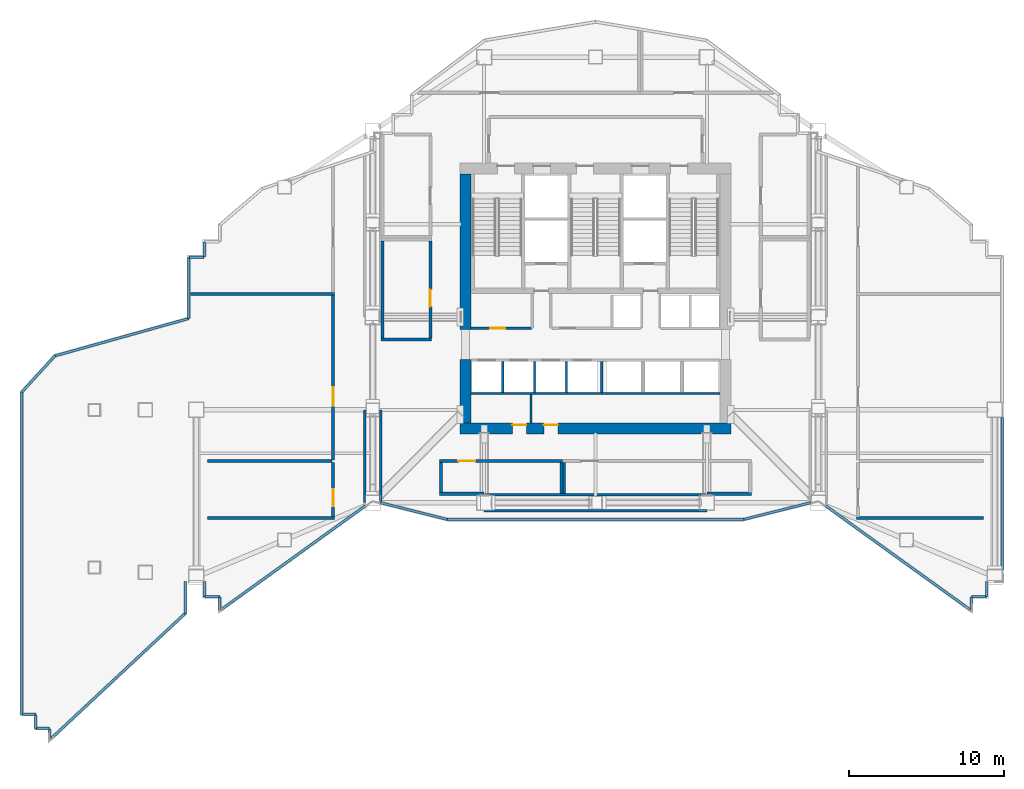
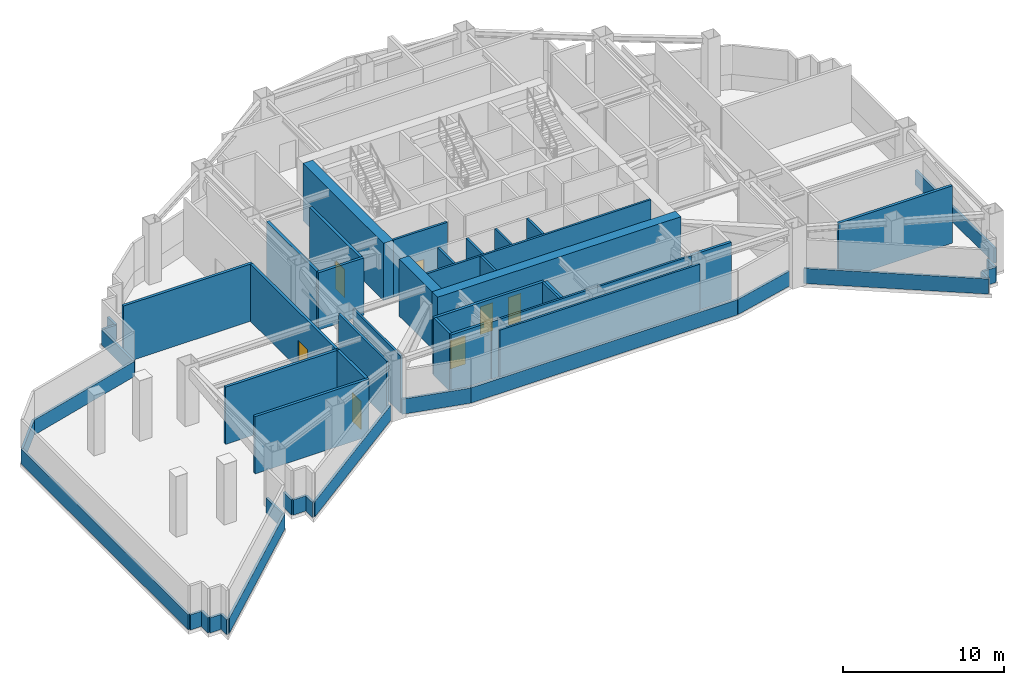
# One storey, part 14 of 24: 53 walls, 7 doors, 7 openings.
"""IFC4 building model written with IfcOpenShell, lengths in metres."""

from ifc_helpers import new_model, si_unit, direction, frame, frame_2d, origin, place, context, subcontext, project, spatial, rectangle, extrude, material, layer, layer_set, type_object, element, fill, save


model = new_model("IFC4")

# Units and contexts
model_context = context("Model", 3, precision=1e-05, world=origin(), true_north=direction((0.0, 1.0)))
body_context = subcontext(model_context, "Body", "Model", "MODEL_VIEW")
ifc_project = project(units=[si_unit("LENGTHUNIT", "METRE"), si_unit("AREAUNIT", "SQUARE_METRE"), si_unit("VOLUMEUNIT", "CUBIC_METRE"), si_unit("PLANEANGLEUNIT", "RADIAN"), si_unit("MASSUNIT", "GRAM", prefix="KILO")], contexts=[model_context])

# Site, building, storey
site_placement = place(None, origin())
site = spatial("IfcSite", under=ifc_project, at=site_placement, CompositionType="ELEMENT")
building_placement = place(site_placement, origin())
building = spatial("IfcBuilding", under=site, at=building_placement, Name="Haolan Belvedere Tower", CompositionType="ELEMENT")
storey_placement = place(building_placement, frame((0.0, 0.0, 160.0)))
storey = spatial("IfcBuildingStorey", under=building, at=storey_placement, Name="L40", CompositionType="ELEMENT", Elevation=160.0)

# Wall, openings, doors
ifc_material_1 = material(Name="Concrete C60/75", Category="concrete")
ifc_layer_1 = layer(ifc_material_1, 0.699951171875, Name="Concrete C60/75")
ifc_layer_set_1 = layer_set([ifc_layer_1], Name="Concrete C60/75")
wall_type_1 = type_object("IfcWallType", Name="WL-CORE-700", PredefinedType="SHEAR", material=ifc_layer_set_1)
wall_1_placement = place(storey_placement, frame((29.64990234375, 26.39990234375, 0.0), z_axis=(0.0, 0.0, 1.0), x_axis=(1.0, 0.0, 0.0)))
wall_1 = element("IfcWall", 1, at=wall_1_placement, inside=storey, type_object=wall_type_1, Name="L40 central core south shear wall", PredefinedType="SHEAR", context=body_context, shape_type="SweptSolid", body=[
    extrude(rectangle(XDim=17.5, YDim=0.699951171875, at=frame_2d((8.75, 0.0))), origin(), (0.0, 0.0, 1.0), 4.35009765625),
])
opening_1_placement = place(wall_1_placement, frame((4.280029296875, 0.0, 0.0), z_axis=(0.0, 0.0, 1.0), x_axis=(-1.0, 0.0, 0.0)))
opening_1 = element("IfcOpeningElement", 2, at=opening_1_placement, cuts=wall_1, Name="Opening FD-05", PredefinedType="OPENING", context=body_context, shape_type="SweptSolid", body=[
    extrude(rectangle(XDim=0.89990234375, YDim=2.10009765625, at=frame_2d((0.449951171875, 1.050048828125))), frame((0.0, 0.35986328125, 0.0), z_axis=(0.0, -1.0, 0.0), x_axis=(1.0, 0.0, 0.0)), (0.0, 0.0, 1.0), 0.719970703125),
])
opening_2_placement = place(wall_1_placement, frame((6.309814453125, 0.0, 0.0), z_axis=(0.0, 0.0, 1.0), x_axis=(-1.0, 0.0, 0.0)))
opening_2 = element("IfcOpeningElement", 3, at=opening_2_placement, cuts=wall_1, Name="Opening FD-05", PredefinedType="OPENING", context=body_context, shape_type="SweptSolid", body=[
    extrude(rectangle(XDim=0.89990234375, YDim=2.10009765625, at=frame_2d((0.449951171875, 1.050048828125))), frame((0.0, 0.35986328125, 0.0), z_axis=(0.0, -1.0, 0.0), x_axis=(1.0, 0.0, 0.0)), (0.0, 0.0, 1.0), 0.719970703125),
])
ifc_material_2 = material(Name="Galvanised fire-rated steel", Category="steel")
door_type_1 = type_object("IfcDoorType", Name="DR-FD60-900", OperationType="NOTDEFINED", PredefinedType="DOOR", material=ifc_material_2)
door_1_placement = place(opening_1_placement, origin())
door_1 = element("IfcDoor", 4, at=door_1_placement, inside=storey, type_object=door_type_1, Name="L40 door CD-L40-SCV-1", OperationType="SINGLE_SWING_LEFT", OverallHeight=2.10009765625, OverallWidth=0.89990234375, PredefinedType="DOOR", context=body_context, shape_type="SweptSolid", body=[
    extrude(rectangle(XDim=0.89990234375, YDim=2.10009765625, at=frame_2d((0.449951171875, 1.050048828125))), frame((0.0, -0.19482421875, 0.0), z_axis=(0.0, -1.0, 0.0), x_axis=(1.0, 0.0, 0.0)), (0.0, 0.0, 1.0), 0.050048828125),
])
fill(opening_1, door_1)
door_2_placement = place(opening_2_placement, origin())
door_2 = element("IfcDoor", 5, at=door_2_placement, inside=storey, type_object=door_type_1, Name="L40 door CD-L40-SCV-2", OperationType="SINGLE_SWING_RIGHT", OverallHeight=2.10009765625, OverallWidth=0.89990234375, PredefinedType="DOOR", context=body_context, shape_type="SweptSolid", body=[
    extrude(rectangle(XDim=0.89990234375, YDim=2.10009765625, at=frame_2d((0.449951171875, 1.050048828125))), frame((0.0, -0.19482421875, 0.0), z_axis=(0.0, -1.0, 0.0), x_axis=(1.0, 0.0, 0.0)), (0.0, 0.0, 1.0), 0.050048828125),
])
fill(opening_2, door_2)

# Walls
wall_2_placement = place(storey_placement, frame((30.0, 26.75, 0.0), z_axis=(0.0, 0.0, 1.0), x_axis=(0.0, 1.0, 0.0)))
element("IfcWall", 6, at=wall_2_placement, inside=storey, type_object=wall_type_1, Name="L40 central core shear wall WS", PredefinedType="SHEAR", context=body_context, shape_type="SweptSolid", body=[
    extrude(rectangle(XDim=4.10009765625, YDim=0.699951171875, at=frame_2d((2.050048828125, 0.0))), origin(), (0.0, 0.0, 1.0), 4.35009765625),
])
wall_3_placement = place(storey_placement, frame((30.0, 32.800048828125, 0.0), z_axis=(0.0, 0.0, 1.0), x_axis=(0.0, 1.0, 0.0)))
element("IfcWall", 7, at=wall_3_placement, inside=storey, type_object=wall_type_1, Name="L40 central core shear wall WN", PredefinedType="SHEAR", context=body_context, shape_type="SweptSolid", body=[
    extrude(rectangle(XDim=10.050048828125, YDim=0.699951171875, at=frame_2d((5.02490234375, 0.0))), origin(), (0.0, 0.0, 1.0), 4.35009765625),
])
ifc_material_3 = material(Name="Concrete C40/50", Category="concrete")
ifc_layer_2 = layer(ifc_material_3, 0.199951171875, Name="Concrete C40/50")
ifc_layer_set_2 = layer_set([ifc_layer_2], Name="Concrete C40/50")
wall_type_2 = type_object("IfcWallType", Name="WL-FIRE-200", PredefinedType="SOLIDWALL", material=ifc_layer_set_2)
wall_4_placement = place(storey_placement, frame((12.2119140625, 35.10009765625, 0.0), z_axis=(0.0, 0.0, 1.0), x_axis=(1.0, 0.0, 0.0)))
element("IfcWall", 8, at=wall_4_placement, inside=storey, type_object=wall_type_2, Name="L40 interior partition IW-L40-REF-W1-N", PredefinedType="SOLIDWALL", context=body_context, shape_type="SweptSolid", body=[
    extrude(rectangle(XDim=9.30810546875, YDim=0.199951171875, at=frame_2d((4.654052734375, 0.0))), origin(), (0.0, 0.0, 1.0), 4.35009765625),
])

# Wall, opening, door
wall_5_placement = place(storey_placement, frame((21.43994140625, 24.3701171875, 0.0), z_axis=(0.0, 0.0, 1.0), x_axis=(0.0, 1.0, 0.0)))
wall_5 = element("IfcWall", 9, at=wall_5_placement, inside=storey, type_object=wall_type_2, Name="L40 interior partition IW-L40-REF-W1-E", PredefinedType="SOLIDWALL", context=body_context, shape_type="SweptSolid", body=[
    extrude(rectangle(XDim=10.644775390625, YDim=0.199951171875, at=frame_2d((5.322265625, 0.0))), origin(), (0.0, 0.0, 1.0), 4.35009765625),
])
opening_3_placement = place(wall_5_placement, frame((4.699951171875, 0.0, 0.0), z_axis=(0.0, 0.0, 1.0), x_axis=(-1.0, 0.0, 0.0)))
opening_3 = element("IfcOpeningElement", 10, at=opening_3_placement, cuts=wall_5, Name="Opening FD-02", PredefinedType="OPENING", context=body_context, shape_type="SweptSolid", body=[
    extrude(rectangle(XDim=1.199951171875, YDim=2.14990234375, at=frame_2d((0.60009765625, 1.074951171875))), frame((0.0, 0.10986328125, 0.0), z_axis=(0.0, -1.0, 0.0), x_axis=(1.0, 0.0, 0.0)), (0.0, 0.0, 1.0), 0.219970703125),
])
door_type_2 = type_object("IfcDoorType", Name="DR-FD90-1200", OperationType="NOTDEFINED", PredefinedType="DOOR", material=ifc_material_2)
door_3_placement = place(opening_3_placement, origin())
door_3 = element("IfcDoor", 11, at=door_3_placement, inside=storey, type_object=door_type_2, Name="L40 door ID-L40-REF-W1", OperationType="SINGLE_SWING_LEFT", OverallHeight=2.14990234375, OverallWidth=1.199951171875, PredefinedType="DOOR", context=body_context, shape_type="SweptSolid", body=[
    extrude(rectangle(XDim=1.199951171875, YDim=2.14990234375, at=frame_2d((0.60009765625, 1.074951171875))), frame((0.0, 0.02490234375, 0.0), z_axis=(0.0, -1.0, 0.0), x_axis=(1.0, 0.0, 0.0)), (0.0, 0.0, 1.0), 0.050048828125),
])
fill(opening_3, door_3)

# Walls
wall_6_placement = place(storey_placement, frame((24.5400390625, 32.14990234375, 0.0), z_axis=(0.0, 0.0, 1.0), x_axis=(1.0, 0.0, 0.0)))
element("IfcWall", 12, at=wall_6_placement, inside=storey, type_object=wall_type_2, Name="L40 interior partition IW-L40-REF-WI1-S", PredefinedType="SOLIDWALL", context=body_context, shape_type="SweptSolid", body=[
    extrude(rectangle(XDim=3.260009765625, YDim=0.199951171875, at=frame_2d((1.6298828125, 0.0))), origin(), (0.0, 0.0, 1.0), 4.35009765625),
])
wall_7_placement = place(storey_placement, frame((24.6201171875, 32.235107421875, 0.0), z_axis=(0.0, 0.0, 1.0), x_axis=(0.0, 1.0, 0.0)))
element("IfcWall", 13, at=wall_7_placement, inside=storey, type_object=wall_type_2, Name="L40 interior partition IW-L40-REF-WI1-W", PredefinedType="SOLIDWALL", context=body_context, shape_type="SweptSolid", body=[
    extrude(rectangle(XDim=6.27978515625, YDim=0.199951171875, at=frame_2d((3.139892578125, 0.0))), origin(), (0.0, 0.0, 1.0), 4.35009765625),
])

# Wall, opening, door
wall_8_placement = place(storey_placement, frame((27.719970703125, 32.235107421875, 0.0), z_axis=(0.0, 0.0, 1.0), x_axis=(0.0, 1.0, 0.0)))
wall_8 = element("IfcWall", 14, at=wall_8_placement, inside=storey, type_object=wall_type_2, Name="L40 interior partition IW-L40-REF-WI1-E", PredefinedType="SOLIDWALL", context=body_context, shape_type="SweptSolid", body=[
    extrude(rectangle(XDim=6.27978515625, YDim=0.199951171875, at=frame_2d((3.139892578125, 0.0))), origin(), (0.0, 0.0, 1.0), 4.35009765625),
])
opening_4_placement = place(wall_8_placement, frame((3.135009765625, 0.0, 0.0), z_axis=(0.0, 0.0, 1.0), x_axis=(-1.0, 0.0, 0.0)))
opening_4 = element("IfcOpeningElement", 15, at=opening_4_placement, cuts=wall_8, Name="Opening FD-03", PredefinedType="OPENING", context=body_context, shape_type="SweptSolid", body=[
    extrude(rectangle(XDim=1.10009765625, YDim=2.14990234375, at=frame_2d((0.550048828125, 1.074951171875))), frame((0.0, 0.10986328125, 0.0), z_axis=(0.0, -1.0, 0.0), x_axis=(1.0, 0.0, 0.0)), (0.0, 0.0, 1.0), 0.219970703125),
])
door_type_3 = type_object("IfcDoorType", Name="DR-FD90-1100", OperationType="NOTDEFINED", PredefinedType="DOOR", material=ifc_material_2)
door_4_placement = place(opening_4_placement, origin())
door_4 = element("IfcDoor", 16, at=door_4_placement, inside=storey, type_object=door_type_3, Name="L40 door ID-L40-REF-WI1", OperationType="SINGLE_SWING_LEFT", OverallHeight=2.14990234375, OverallWidth=1.10009765625, PredefinedType="DOOR", context=body_context, shape_type="SweptSolid", body=[
    extrude(rectangle(XDim=1.10009765625, YDim=2.14990234375, at=frame_2d((0.550048828125, 1.074951171875))), frame((0.0, 0.02490234375, 0.0), z_axis=(0.0, -1.0, 0.0), x_axis=(1.0, 0.0, 0.0)), (0.0, 0.0, 1.0), 0.050048828125),
])
fill(opening_4, door_4)

wall_9_placement = place(storey_placement, frame((28.320068359375, 24.300048828125, 0.0), z_axis=(0.0, 0.0, 1.0), x_axis=(1.0, 0.0, 0.0)))
wall_9 = element("IfcWall", 17, at=wall_9_placement, inside=storey, type_object=wall_type_2, Name="L40 interior partition IW-L40-PLT-AHU-N", PredefinedType="SOLIDWALL", context=body_context, shape_type="SweptSolid", body=[
    extrude(rectangle(XDim=7.9599609375, YDim=0.199951171875, at=frame_2d((3.97998046875, 0.0))), origin(), (0.0, 0.0, 1.0), 4.35009765625),
])
opening_5_placement = place(wall_9_placement, frame((2.320556640625, 0.0, 0.0), z_axis=(0.0, 0.0, 1.0), x_axis=(-1.0, 0.0, 0.0)))
opening_5 = element("IfcOpeningElement", 18, at=opening_5_placement, cuts=wall_9, Name="Opening FD-03", PredefinedType="OPENING", context=body_context, shape_type="SweptSolid", body=[
    extrude(rectangle(XDim=1.10009765625, YDim=2.14990234375, at=frame_2d((0.550048828125, 1.074951171875))), frame((0.0, 0.10986328125, 0.0), z_axis=(0.0, -1.0, 0.0), x_axis=(1.0, 0.0, 0.0)), (0.0, 0.0, 1.0), 0.219970703125),
])
door_5_placement = place(opening_5_placement, origin())
door_5 = element("IfcDoor", 19, at=door_5_placement, inside=storey, type_object=door_type_3, Name="L40 door ID-L40-PLT-AHU", OperationType="SINGLE_SWING_LEFT", OverallHeight=2.14990234375, OverallWidth=1.10009765625, PredefinedType="DOOR", context=body_context, shape_type="SweptSolid", body=[
    extrude(rectangle(XDim=1.10009765625, YDim=2.14990234375, at=frame_2d((0.550048828125, 1.074951171875))), frame((0.0, 0.02490234375, 0.0), z_axis=(0.0, -1.0, 0.0), x_axis=(1.0, 0.0, 0.0)), (0.0, 0.0, 1.0), 0.050048828125),
])
fill(opening_5, door_5)

# Walls
wall_10_placement = place(storey_placement, frame((28.320068359375, 22.179931640625, 0.0), z_axis=(0.0, 0.0, 1.0), x_axis=(1.0, 0.0, 0.0)))
element("IfcWall", 20, at=wall_10_placement, inside=storey, type_object=wall_type_2, Name="L40 interior partition IW-L40-PLT-AHU-S", PredefinedType="SOLIDWALL", context=body_context, shape_type="SweptSolid", body=[
    extrude(rectangle(XDim=2.8779296875, YDim=0.199951171875, at=frame_2d((1.43896484375, 0.0))), origin(), (0.0, 0.0, 1.0), 4.35009765625),
])
wall_11_placement = place(storey_placement, frame((28.39990234375, 22.264892578125, 0.0), z_axis=(0.0, 0.0, 1.0), x_axis=(0.0, 1.0, 0.0)))
element("IfcWall", 21, at=wall_11_placement, inside=storey, type_object=wall_type_2, Name="L40 interior partition IW-L40-PLT-AHU-W", PredefinedType="SOLIDWALL", context=body_context, shape_type="SweptSolid", body=[
    extrude(rectangle(XDim=1.9501953125, YDim=0.199951171875, at=frame_2d((0.97509765625, 0.0))), origin(), (0.0, 0.0, 1.0), 4.35009765625),
])
wall_12_placement = place(storey_placement, frame((36.199951171875, 22.179931640625, 0.0), z_axis=(0.0, 0.0, 1.0), x_axis=(0.0, 1.0, 0.0)))
element("IfcWall", 22, at=wall_12_placement, inside=storey, type_object=wall_type_2, Name="L40 interior partition IW-L40-PLT-AHU-E", PredefinedType="SOLIDWALL", context=body_context, shape_type="SweptSolid", body=[
    extrude(rectangle(XDim=2.03515625, YDim=0.199951171875, at=frame_2d((1.017578125, 0.0))), origin(), (0.0, 0.0, 1.0), 4.35009765625),
])
wall_13_placement = place(storey_placement, frame((45.60205078125, 22.179931640625, 0.0), z_axis=(0.0, 0.0, 1.0), x_axis=(1.0, 0.0, 0.0)))
element("IfcWall", 23, at=wall_13_placement, inside=storey, type_object=wall_type_2, Name="L40 interior partition IW-L40-PLT-CHW-S", PredefinedType="SOLIDWALL", context=body_context, shape_type="SweptSolid", body=[
    extrude(rectangle(XDim=2.8779296875, YDim=0.199951171875, at=frame_2d((1.43896484375, 0.0))), origin(), (0.0, 0.0, 1.0), 4.35009765625),
])
wall_14_placement = place(storey_placement, frame((36.360107421875, 22.179931640625, 0.0), z_axis=(0.0, 0.0, 1.0), x_axis=(0.0, 1.0, 0.0)))
element("IfcWall", 24, at=wall_14_placement, inside=storey, type_object=wall_type_2, Name="L40 interior partition IW-L40-PLT-CHW-W", PredefinedType="SOLIDWALL", context=body_context, shape_type="SweptSolid", body=[
    extrude(rectangle(XDim=2.03515625, YDim=0.199951171875, at=frame_2d((1.017578125, 0.0))), origin(), (0.0, 0.0, 1.0), 4.35009765625),
])
wall_15_placement = place(storey_placement, frame((13.320068359375, 24.2900390625, 0.0), z_axis=(0.0, 0.0, 1.0), x_axis=(1.0, 0.0, 0.0)))
element("IfcWall", 25, at=wall_15_placement, inside=storey, type_object=wall_type_2, Name="L40 interior partition IW-L40-PLT-SUB-N", PredefinedType="SOLIDWALL", context=body_context, shape_type="SweptSolid", body=[
    extrude(rectangle(XDim=8.034912109375, YDim=0.199951171875, at=frame_2d((4.017578125, 0.0))), origin(), (0.0, 0.0, 1.0), 4.35009765625),
])
wall_16_placement = place(storey_placement, frame((13.320068359375, 20.60009765625, 0.0), z_axis=(0.0, 0.0, 1.0), x_axis=(1.0, 0.0, 0.0)))
element("IfcWall", 26, at=wall_16_placement, inside=storey, type_object=wall_type_2, Name="L40 interior partition IW-L40-PLT-SUB-S", PredefinedType="SOLIDWALL", context=body_context, shape_type="SweptSolid", body=[
    extrude(rectangle(XDim=8.199951171875, YDim=0.199951171875, at=frame_2d((4.10009765625, 0.0))), origin(), (0.0, 0.0, 1.0), 4.35009765625),
])

# Wall, opening, door
wall_17_placement = place(storey_placement, frame((21.43994140625, 20.68505859375, 0.0), z_axis=(0.0, 0.0, 1.0), x_axis=(0.0, 1.0, 0.0)))
wall_17 = element("IfcWall", 27, at=wall_17_placement, inside=storey, type_object=wall_type_2, Name="L40 interior partition IW-L40-PLT-SUB-E", PredefinedType="SOLIDWALL", context=body_context, shape_type="SweptSolid", body=[
    extrude(rectangle(XDim=3.52001953125, YDim=0.199951171875, at=frame_2d((1.760009765625, 0.0))), origin(), (0.0, 0.0, 1.0), 4.35009765625),
])
opening_6_placement = place(wall_17_placement, frame((1.78515625, 0.0, 0.0), z_axis=(0.0, 0.0, 1.0), x_axis=(-1.0, 0.0, 0.0)))
opening_6 = element("IfcOpeningElement", 28, at=opening_6_placement, cuts=wall_17, Name="Opening FD-03", PredefinedType="OPENING", context=body_context, shape_type="SweptSolid", body=[
    extrude(rectangle(XDim=1.10009765625, YDim=2.14990234375, at=frame_2d((0.550048828125, 1.074951171875))), frame((0.0, 0.10986328125, 0.0), z_axis=(0.0, -1.0, 0.0), x_axis=(1.0, 0.0, 0.0)), (0.0, 0.0, 1.0), 0.219970703125),
])
door_6_placement = place(opening_6_placement, origin())
door_6 = element("IfcDoor", 29, at=door_6_placement, inside=storey, type_object=door_type_3, Name="L40 door ID-L40-PLT-SUB", OperationType="SINGLE_SWING_RIGHT", OverallHeight=2.14990234375, OverallWidth=1.10009765625, PredefinedType="DOOR", context=body_context, shape_type="SweptSolid", body=[
    extrude(rectangle(XDim=1.10009765625, YDim=2.14990234375, at=frame_2d((0.550048828125, 1.074951171875))), frame((0.0, 0.02490234375, 0.0), z_axis=(0.0, -1.0, 0.0), x_axis=(1.0, 0.0, 0.0)), (0.0, 0.0, 1.0), 0.050048828125),
])
fill(opening_6, door_6)

# Walls
wall_18_placement = place(storey_placement, frame((55.280029296875, 20.60009765625, 0.0), z_axis=(0.0, 0.0, 1.0), x_axis=(1.0, 0.0, 0.0)))
element("IfcWall", 30, at=wall_18_placement, inside=storey, type_object=wall_type_2, Name="L40 interior partition IW-L40-PLT-TNK-S", PredefinedType="SOLIDWALL", context=body_context, shape_type="SweptSolid", body=[
    extrude(rectangle(XDim=8.199951171875, YDim=0.199951171875, at=frame_2d((4.10009765625, 0.0))), origin(), (0.0, 0.0, 1.0), 4.35009765625),
])
ifc_material_4 = material(Name="Precast concrete C40/50", Category="concrete")
ifc_layer_3 = layer(ifc_material_4, 0.159912109375, Name="Precast concrete C40/50")
ifc_layer_set_3 = layer_set([ifc_layer_3], Name="Precast concrete C40/50")
wall_type_3 = type_object("IfcWallType", Name="WL-PAR-160", PredefinedType="PARAPET", material=ifc_layer_set_3)
wall_19_placement = place(storey_placement, frame((13.1201171875, 16.52001953125, 0.0), z_axis=(0.0, 0.0, 1.0), x_axis=(0.0, -1.0, 0.0)))
element("IfcWall", 31, at=wall_19_placement, inside=storey, type_object=wall_type_3, Name="L40 refuge open-band parapet 2.1", PredefinedType="PARAPET", context=body_context, shape_type="SweptSolid", body=[
    extrude(rectangle(XDim=1.0, YDim=0.159912109375, at=frame_2d((0.5, 0.0))), origin(), (0.0, 0.0, 1.0), 1.14990234375),
])
wall_20_placement = place(storey_placement, frame((13.14990234375, 15.52001953125, 0.0), z_axis=(0.0, 0.0, 1.0), x_axis=(1.0, 0.0, 0.0)))
element("IfcWall", 32, at=wall_20_placement, inside=storey, type_object=wall_type_3, Name="L40 refuge open-band parapet 3.1", PredefinedType="PARAPET", context=body_context, shape_type="SweptSolid", body=[
    extrude(rectangle(XDim=0.97021484375, YDim=0.159912109375, at=frame_2d((0.485107421875, 0.0))), origin(), (0.0, 0.0, 1.0), 1.14990234375),
])
wall_21_placement = place(storey_placement, frame((14.1201171875, 15.489990234375, 0.0), z_axis=(0.0, 0.0, 1.0), x_axis=(0.0, -1.0, 0.0)))
element("IfcWall", 33, at=wall_21_placement, inside=storey, type_object=wall_type_3, Name="L40 refuge open-band parapet 4.1", PredefinedType="PARAPET", context=body_context, shape_type="SweptSolid", body=[
    extrude(rectangle(XDim=0.855712890625, YDim=0.159912109375, at=frame_2d((0.427734375, 0.0))), origin(), (0.0, 0.0, 1.0), 1.14990234375),
])
wall_22_placement = place(storey_placement, frame((14.193115234375, 14.68701171875, 0.0), z_axis=(0.0, 0.0, 1.0), x_axis=(0.811543217016, 0.584292398475, 0.0)))
element("IfcWall", 34, at=wall_22_placement, inside=storey, type_object=wall_type_3, Name="L40 refuge open-band parapet 5.1", PredefinedType="PARAPET", context=body_context, shape_type="SweptSolid", body=[
    extrude(rectangle(XDim=11.47802734375, YDim=0.159912109375, at=frame_2d((5.739013671875, 0.0))), origin(), (0.0, 0.0, 1.0), 1.14990234375),
])
wall_23_placement = place(storey_placement, frame((24.491943359375, 21.6005859375, 0.0), z_axis=(0.0, 0.0, 1.0), x_axis=(0.970148945932, -0.242509840432, 0.0)))
element("IfcWall", 35, at=wall_23_placement, inside=storey, type_object=wall_type_3, Name="L40 refuge open-band parapet 6.1", PredefinedType="PARAPET", context=body_context, shape_type="SweptSolid", body=[
    extrude(rectangle(XDim=4.455810546875, YDim=0.159912109375, at=frame_2d((2.22802734375, 0.0))), origin(), (0.0, 0.0, 1.0), 1.14990234375),
])
wall_24_placement = place(storey_placement, frame((28.814697265625, 20.52001953125, 0.0), z_axis=(0.0, 0.0, 1.0), x_axis=(1.0, 0.0, 0.0)))
element("IfcWall", 36, at=wall_24_placement, inside=storey, type_object=wall_type_3, Name="L40 refuge open-band parapet 7.1", PredefinedType="PARAPET", context=body_context, shape_type="SweptSolid", body=[
    extrude(rectangle(XDim=19.17041015625, YDim=0.159912109375, at=frame_2d((9.585205078125, 0.0))), origin(), (0.0, 0.0, 1.0), 1.14990234375),
])
wall_25_placement = place(storey_placement, frame((47.985107421875, 20.52001953125, 0.0), z_axis=(0.0, 0.0, 1.0), x_axis=(0.970152168055, 0.242496950122, 0.0)))
element("IfcWall", 37, at=wall_25_placement, inside=storey, type_object=wall_type_3, Name="L40 refuge open-band parapet 8.1", PredefinedType="PARAPET", context=body_context, shape_type="SweptSolid", body=[
    extrude(rectangle(XDim=4.4560546875, YDim=0.159912109375, at=frame_2d((2.22802734375, 0.0))), origin(), (0.0, 0.0, 1.0), 1.14990234375),
])
wall_26_placement = place(storey_placement, frame((53.2919921875, 21.3935546875, 0.0), z_axis=(0.0, 0.0, 1.0), x_axis=(0.811535942642, -0.584302501963, 0.0)))
element("IfcWall", 38, at=wall_26_placement, inside=storey, type_object=wall_type_3, Name="L40 refuge open-band parapet 9.1", PredefinedType="PARAPET", context=body_context, shape_type="SweptSolid", body=[
    extrude(rectangle(XDim=11.568115234375, YDim=0.159912109375, at=frame_2d((5.7841796875, 0.0))), origin(), (0.0, 0.0, 1.0), 1.14990234375),
])
wall_27_placement = place(storey_placement, frame((62.679931640625, 14.724365234375, 0.0), z_axis=(0.0, 0.0, 1.0), x_axis=(0.0, 1.0, 0.0)))
element("IfcWall", 39, at=wall_27_placement, inside=storey, type_object=wall_type_3, Name="L40 refuge open-band parapet 10.1", PredefinedType="PARAPET", context=body_context, shape_type="SweptSolid", body=[
    extrude(rectangle(XDim=0.795654296875, YDim=0.159912109375, at=frame_2d((0.39794921875, 0.0))), origin(), (0.0, 0.0, 1.0), 1.14990234375),
])
for number, where, z_axis, x_axis, name in (
    (40, (62.7099609375, 15.52001953125, 0.0), (0.0, 0.0, 1.0), (1.0, 0.0, 0.0), "L40 refuge open-band parapet 11.1"),
    (41, (63.679931640625, 15.550048828125, 0.0), (0.0, 0.0, 1.0), (0.0, 1.0, 0.0), "L40 refuge open-band parapet 12.1"),
):
    element("IfcWall", number, at=place(storey_placement, frame(where, z_axis=z_axis, x_axis=x_axis)), inside=storey, type_object=wall_type_3, Name=name, PredefinedType="PARAPET", context=body_context, shape_type="SweptSolid", body=[
        extrude(rectangle(XDim=0.969970703125, YDim=0.159912109375, at=frame_2d((0.48486328125, 0.0))), origin(), (0.0, 0.0, 1.0), 1.14990234375),
    ])
wall_28_placement = place(storey_placement, frame((64.679931640625, 17.2919921875, 0.0), z_axis=(0.0, 0.0, 1.0), x_axis=(0.0, 1.0, 0.0)))
element("IfcWall", 42, at=wall_28_placement, inside=storey, type_object=wall_type_3, Name="L40 refuge open-band parapet 14.1", PredefinedType="PARAPET", context=body_context, shape_type="SweptSolid", body=[
    extrude(rectangle(XDim=9.81591796875, YDim=0.159912109375, at=frame_2d((4.907958984375, 0.0))), origin(), (0.0, 0.0, 1.0), 1.14990234375),
])
for number, where, z_axis, x_axis, name in (
    (43, (13.1201171875, 38.449951171875, 0.0), (0.0, 0.0, 1.0), (0.0, -1.0, 0.0), "L40 refuge open-band parapet 39.1"),
    (44, (13.090087890625, 37.47998046875, 0.0), (0.0, 0.0, 1.0), (-1.0, 0.0, 0.0), "L40 refuge open-band parapet 40.1"),
):
    element("IfcWall", number, at=place(storey_placement, frame(where, z_axis=z_axis, x_axis=x_axis)), inside=storey, type_object=wall_type_3, Name=name, PredefinedType="PARAPET", context=body_context, shape_type="SweptSolid", body=[
        extrude(rectangle(XDim=0.969970703125, YDim=0.159912109375, at=frame_2d((0.48486328125, 0.0))), origin(), (0.0, 0.0, 1.0), 1.14990234375),
    ])
wall_29_placement = place(storey_placement, frame((12.1201171875, 37.449951171875, 0.0), z_axis=(0.0, 0.0, 1.0), x_axis=(0.0, -1.0, 0.0)))
element("IfcWall", 45, at=wall_29_placement, inside=storey, type_object=wall_type_3, Name="L40 refuge open-band parapet 41.1", PredefinedType="PARAPET", context=body_context, shape_type="SweptSolid", body=[
    extrude(rectangle(XDim=3.941162109375, YDim=0.159912109375, at=frame_2d((1.970703125, 0.0))), origin(), (0.0, 0.0, 1.0), 1.14990234375),
])
wall_30_placement = place(storey_placement, frame((12.091064453125, 33.500732421875, 0.0), z_axis=(0.0, 0.0, 1.0), x_axis=(-0.963194988148, -0.26880367335, 0.0)))
element("IfcWall", 46, at=wall_30_placement, inside=storey, type_object=wall_type_3, Name="L40 refuge open-band parapet 42.1", PredefinedType="PARAPET", context=body_context, shape_type="SweptSolid", body=[
    extrude(rectangle(XDim=8.955322265625, YDim=0.159912109375, at=frame_2d((4.4775390625, 0.0))), origin(), (0.0, 0.0, 1.0), 1.14990234375),
])
wall_31_placement = place(storey_placement, frame((3.46533203125, 31.093505859375, 0.0), z_axis=(0.0, 0.0, 1.0), x_axis=(-0.675755969938, -0.737125409339, 0.0)))
element("IfcWall", 47, at=wall_31_placement, inside=storey, type_object=wall_type_3, Name="L40 refuge open-band parapet 43.1", PredefinedType="PARAPET", context=body_context, shape_type="SweptSolid", body=[
    extrude(rectangle(XDim=3.174560546875, YDim=0.159912109375, at=frame_2d((1.58740234375, 0.0))), origin(), (0.0, 0.0, 1.0), 1.14990234375),
])
wall_32_placement = place(storey_placement, frame((1.320068359375, 28.75341796875, 0.0), z_axis=(0.0, 0.0, 1.0), x_axis=(0.0, -1.0, 0.0)))
element("IfcWall", 48, at=wall_32_placement, inside=storey, type_object=wall_type_3, Name="L40 refuge open-band parapet 44.1", PredefinedType="PARAPET", context=body_context, shape_type="SweptSolid", body=[
    extrude(rectangle(XDim=20.83349609375, YDim=0.159912109375, at=frame_2d((10.416748046875, 0.0))), origin(), (0.0, 0.0, 1.0), 1.14990234375),
])
for number, where, z_axis, x_axis, name in (
    (49, (1.35009765625, 7.919921875, 0.0), (0.0, 0.0, 1.0), (1.0, 0.0, 0.0), "L40 refuge open-band parapet 45.1"),
    (50, (2.219970703125, 7.889892578125, 0.0), (0.0, 0.0, 1.0), (0.0, -1.0, 0.0), "L40 refuge open-band parapet 46.1"),
):
    element("IfcWall", number, at=place(storey_placement, frame(where, z_axis=z_axis, x_axis=x_axis)), inside=storey, type_object=wall_type_3, Name=name, PredefinedType="PARAPET", context=body_context, shape_type="SweptSolid", body=[
        extrude(rectangle(XDim=0.869873046875, YDim=0.159912109375, at=frame_2d((0.43505859375, 0.0))), origin(), (0.0, 0.0, 1.0), 1.14990234375),
    ])
wall_33_placement = place(storey_placement, frame((2.25, 7.02001953125, 0.0), z_axis=(0.0, 0.0, 1.0), x_axis=(1.0, 0.0, 0.0)))
element("IfcWall", 51, at=wall_33_placement, inside=storey, type_object=wall_type_3, Name="L40 refuge open-band parapet 47.1", PredefinedType="PARAPET", context=body_context, shape_type="SweptSolid", body=[
    extrude(rectangle(XDim=0.8701171875, YDim=0.159912109375, at=frame_2d((0.43505859375, 0.0))), origin(), (0.0, 0.0, 1.0), 1.14990234375),
])
wall_34_placement = place(storey_placement, frame((3.1201171875, 6.989990234375, 0.0), z_axis=(0.0, 0.0, 1.0), x_axis=(0.0, -1.0, 0.0)))
element("IfcWall", 52, at=wall_34_placement, inside=storey, type_object=wall_type_3, Name="L40 refuge open-band parapet 48.1", PredefinedType="PARAPET", context=body_context, shape_type="SweptSolid", body=[
    extrude(rectangle(XDim=0.7138671875, YDim=0.159912109375, at=frame_2d((0.35693359375, 0.0))), origin(), (0.0, 0.0, 1.0), 1.14990234375),
])
wall_35_placement = place(storey_placement, frame((3.207763671875, 6.35791015625, 0.0), z_axis=(0.0, 0.0, 1.0), x_axis=(0.731044317888, 0.682329982694, 0.0)))
element("IfcWall", 53, at=wall_35_placement, inside=storey, type_object=wall_type_3, Name="L40 refuge open-band parapet 49.1", PredefinedType="PARAPET", context=body_context, shape_type="SweptSolid", body=[
    extrude(rectangle(XDim=11.862548828125, YDim=0.159912109375, at=frame_2d((5.93115234375, 0.0))), origin(), (0.0, 0.0, 1.0), 1.14990234375),
])
wall_36_placement = place(storey_placement, frame((11.8798828125, 14.4521484375, 0.0), z_axis=(0.0, 0.0, 1.0), x_axis=(0.0, 1.0, 0.0)))
element("IfcWall", 54, at=wall_36_placement, inside=storey, type_object=wall_type_3, Name="L40 refuge open-band parapet 50.1", PredefinedType="PARAPET", context=body_context, shape_type="SweptSolid", body=[
    extrude(rectangle(XDim=2.06787109375, YDim=0.159912109375, at=frame_2d((1.033935546875, 0.0))), origin(), (0.0, 0.0, 1.0), 1.14990234375),
])
ifc_material_5 = material(Name="Double gypsum acoustic stud partition", Category="masonry")
ifc_layer_4 = layer(ifc_material_5, 0.14990234375, Name="Double gypsum acoustic stud partition")
ifc_layer_set_4 = layer_set([ifc_layer_4], Name="Double gypsum acoustic stud partition")
wall_type_4 = type_object("IfcWallType", Name="WL-PART-150", PredefinedType="PARTITIONING", material=ifc_layer_set_4)
wall_37_placement = place(storey_placement, frame((30.35009765625, 28.659912109375, 0.0), z_axis=(0.0, 0.0, 1.0), x_axis=(1.0, 0.0, 0.0)))
element("IfcWall", 55, at=wall_37_placement, inside=storey, type_object=wall_type_4, Name="L40 interior partition IW-L40-SSTRIP-N", PredefinedType="PARTITIONING", context=body_context, shape_type="SweptSolid", body=[
    extrude(rectangle(XDim=16.099853515625, YDim=0.14990234375, at=frame_2d((8.0498046875, 0.0))), origin(), (0.0, 0.0, 1.0), 4.35009765625),
])
wall_38_placement = place(storey_placement, frame((34.22998046875, 26.760009765625, 0.0), z_axis=(0.0, 0.0, 1.0), x_axis=(0.0, 1.0, 0.0)))
element("IfcWall", 56, at=wall_38_placement, inside=storey, type_object=wall_type_4, Name="L40 interior partition IW-L40-SCV-DIV-1", PredefinedType="PARTITIONING", context=body_context, shape_type="SweptSolid", body=[
    extrude(rectangle(XDim=1.820068359375, YDim=0.14990234375, at=frame_2d((0.91015625, 0.0))), origin(), (0.0, 0.0, 1.0), 4.35009765625),
])
wall_39_placement = place(storey_placement, frame((24.52001953125, 21.6884765625, 0.0), z_axis=(0.0, 0.0, 1.0), x_axis=(0.0, 1.0, 0.0)))
element("IfcWall", 57, at=wall_39_placement, inside=storey, type_object=wall_type_4, Name="L40 interior partition IW-L40-CH-BTW1-1", PredefinedType="PARTITIONING", context=body_context, shape_type="SweptSolid", body=[
    extrude(rectangle(XDim=5.91162109375, YDim=0.14990234375, at=frame_2d((2.955810546875, 0.0))), origin(), (0.0, 0.0, 1.0), 4.35009765625),
])
wall_40_placement = place(storey_placement, frame((23.47998046875, 21.60009765625, 0.0), z_axis=(0.0, 0.0, 1.0), x_axis=(0.0, 1.0, 0.0)))
element("IfcWall", 58, at=wall_40_placement, inside=storey, type_object=wall_type_4, Name="L40 interior partition IW-L40-CH-BTW1-2", PredefinedType="PARTITIONING", context=body_context, shape_type="SweptSolid", body=[
    extrude(rectangle(XDim=6.0, YDim=0.14990234375, at=frame_2d((3.0, 0.0))), origin(), (0.0, 0.0, 1.0), 4.35009765625),
])
for number, where, z_axis, x_axis, name in (
    (59, (31.199951171875, 21.080078125, 0.0), (0.0, 0.0, 1.0), (1.0, 0.0, 0.0), "L40 interior partition IW-L40-CH-BTS-1"),
    (60, (31.199951171875, 22.1201171875, 0.0), (0.0, 0.0, 1.0), (1.0, 0.0, 0.0), "L40 interior partition IW-L40-CH-BTS-2"),
):
    element("IfcWall", number, at=place(storey_placement, frame(where, z_axis=z_axis, x_axis=x_axis)), inside=storey, type_object=wall_type_4, Name=name, PredefinedType="PARTITIONING", context=body_context, shape_type="SweptSolid", body=[
        extrude(rectangle(XDim=14.400146484375, YDim=0.14990234375, at=frame_2d((7.2001953125, 0.0))), origin(), (0.0, 0.0, 1.0), 4.35009765625),
    ])

# Wall, opening, door
ifc_material_6 = material(Name="Gypsum fire shaftwall assembly", Category="masonry")
ifc_layer_5 = layer(ifc_material_6, 0.1650390625, Name="Gypsum fire shaftwall assembly")
ifc_layer_set_5 = layer_set([ifc_layer_5], Name="Gypsum fire shaftwall assembly")
wall_type_5 = type_object("IfcWallType", Name="WL-SHAFT-160", PredefinedType="SOLIDWALL", material=ifc_layer_set_5)
wall_41_placement = place(storey_placement, frame((30.35009765625, 32.8798828125, 0.0), z_axis=(0.0, 0.0, 1.0), x_axis=(1.0, 0.0, 0.0)))
wall_41 = element("IfcWall", 61, at=wall_41_placement, inside=storey, type_object=wall_type_5, Name="L40 interior partition IW-L40-ROW-PN1", PredefinedType="SOLIDWALL", context=body_context, shape_type="SweptSolid", body=[
    extrude(rectangle(XDim=3.89990234375, YDim=0.159912109375, at=frame_2d((1.949951171875, 0.0))), origin(), (0.0, 0.0, 1.0), 4.35009765625),
])
opening_7_placement = place(wall_41_placement, frame((2.199951171875, 0.0, 0.0), z_axis=(0.0, 0.0, 1.0), x_axis=(-1.0, 0.0, 0.0)))
opening_7 = element("IfcOpeningElement", 62, at=opening_7_placement, cuts=wall_41, Name="Opening ID-03", PredefinedType="OPENING", context=body_context, shape_type="SweptSolid", body=[
    extrude(rectangle(XDim=0.949951171875, YDim=2.1201171875, at=frame_2d((0.47509765625, 1.06005859375))), frame((0.0, 0.08984375, 0.0), z_axis=(0.0, -1.0, 0.0), x_axis=(1.0, 0.0, 0.0)), (0.0, 0.0, 1.0), 0.179931640625),
])
ifc_material_7 = material(Name="Painted solid-core timber", Category="wood")
door_type_4 = type_object("IfcDoorType", Name="DR-INT-950", OperationType="NOTDEFINED", PredefinedType="DOOR", material=ifc_material_7)
door_7_placement = place(opening_7_placement, origin())
door_7 = element("IfcDoor", 63, at=door_7_placement, inside=storey, type_object=door_type_4, Name="L40 door ID-L40-CD-RPLW", OperationType="SINGLE_SWING_LEFT", OverallHeight=2.1201171875, OverallWidth=0.949951171875, PredefinedType="DOOR", context=body_context, shape_type="SweptSolid", body=[
    extrude(rectangle(XDim=0.949951171875, YDim=2.1201171875, at=frame_2d((0.47509765625, 1.06005859375))), frame((0.0, 0.02490234375, 0.0), z_axis=(0.0, -1.0, 0.0), x_axis=(1.0, 0.0, 0.0)), (0.0, 0.0, 1.0), 0.050048828125),
])
fill(opening_7, door_7)

# Walls
for number, where, z_axis, x_axis, name in (
    (64, (32.39990234375, 28.735107421875, 0.0), (0.0, 0.0, 1.0), (0.0, 1.0, 0.0), "L40 interior partition IW-L40-DIV-PM1"),
    (65, (34.4599609375, 28.735107421875, 0.0), (0.0, 0.0, 1.0), (0.0, 1.0, 0.0), "L40 interior partition IW-L40-DIV-PM2"),
    (66, (36.52001953125, 28.735107421875, 0.0), (0.0, 0.0, 1.0), (0.0, 1.0, 0.0), "L40 interior partition IW-L40-DIV-PM3"),
    (67, (38.800048828125, 28.735107421875, 0.0), (0.0, 0.0, 1.0), (0.0, 1.0, 0.0), "L40 interior partition IW-L40-DIV-PM4"),
):
    element("IfcWall", number, at=place(storey_placement, frame(where, z_axis=z_axis, x_axis=x_axis)), inside=storey, type_object=wall_type_5, Name=name, PredefinedType="SOLIDWALL", context=body_context, shape_type="SweptSolid", body=[
        extrude(rectangle(XDim=1.98486328125, YDim=0.14990234375, at=frame_2d((0.992431640625, 0.0))), origin(), (0.0, 0.0, 1.0), 4.35009765625),
    ])

save(model, "model.ifc")
